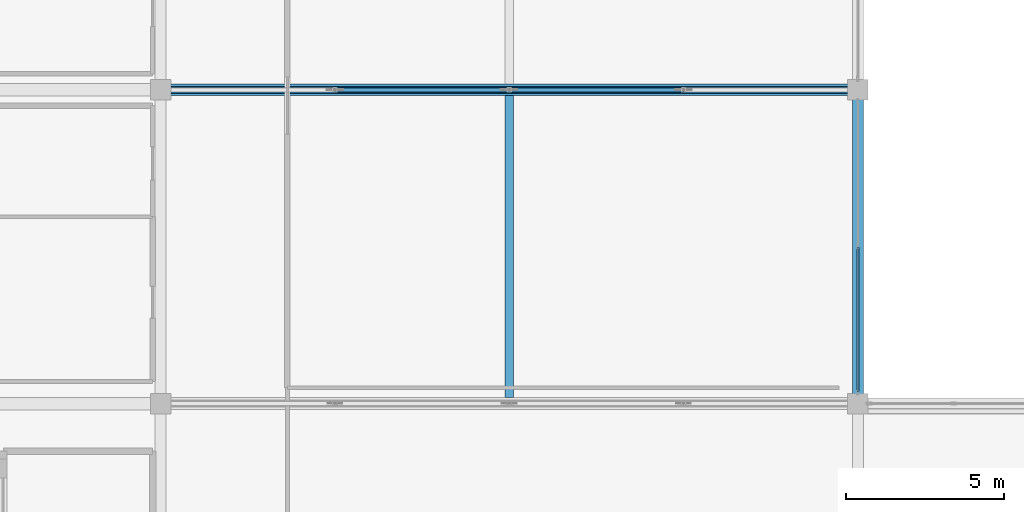
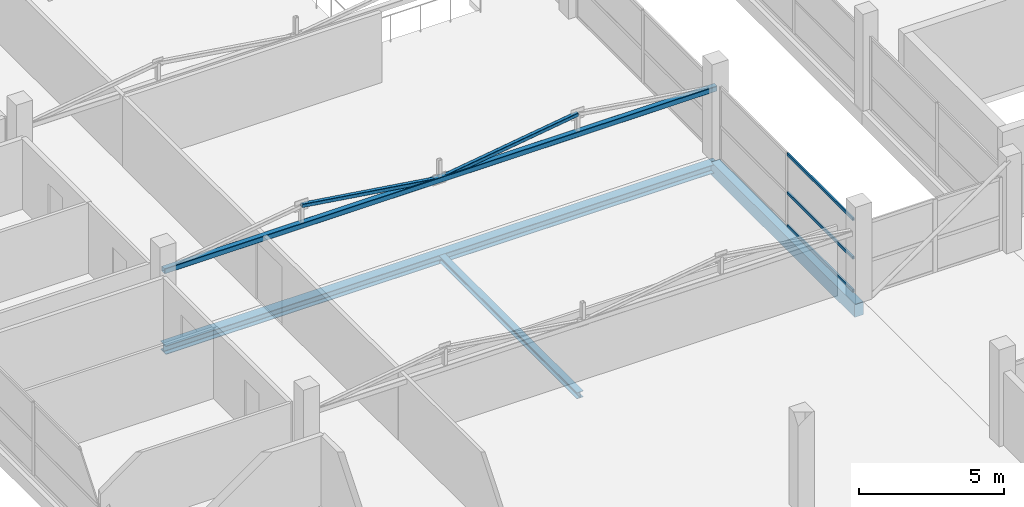
# One storey, part 21 of 53: 6 members, 3 beams, 1 element without a shape of its own.
"""IFC4 building model written with IfcOpenShell, lengths in metres."""

from ifc_helpers import new_model, si_unit, direction, frame, origin, origin_2d, place, context, subcontext, project, spatial, rectangle, hollow_rectangle, i_section, extrude, material, layer, layer_set, material_profile, profile_set, type_object, element, aggregate, save


model = new_model("IFC4")

# Units and contexts
model_context = context("Model", 3, precision=1e-05, world=origin(), true_north=direction((0.0, 1.0)))
body_context = subcontext(model_context, "Body", "Model", "MODEL_VIEW")
ifc_project = project(units=[si_unit("LENGTHUNIT", "METRE"), si_unit("AREAUNIT", "SQUARE_METRE"), si_unit("VOLUMEUNIT", "CUBIC_METRE"), si_unit("PLANEANGLEUNIT", "RADIAN"), si_unit("MASSUNIT", "GRAM", prefix="KILO")], contexts=[model_context])

# Site, building, storey
site_placement = place(None, origin())
site = spatial("IfcSite", under=ifc_project, at=site_placement, CompositionType="ELEMENT")
building_placement = place(site_placement, origin())
building = spatial("IfcBuilding", under=site, at=building_placement, Name="Sillaruma Civic Art Gallery", CompositionType="ELEMENT")
storey_placement = place(building_placement, frame((0.0, 0.0, 70.3798828125)))
storey = spatial("IfcBuildingStorey", under=building, at=storey_placement, Name="L14", CompositionType="ELEMENT", Elevation=70.3798828125)

# Beams
ifc_material_1 = material(Name="Structural Steel ASTM A992 Gr.50", Category="steel")
ifc_material_profile_1 = material_profile(ifc_material_1, i_section(OverallWidth=0.256103515625, OverallDepth=0.260009765625, WebThickness=0.0107421875, FlangeThickness=0.017333984375, FilletRadius=0.012939453125, at=origin_2d()), Name="W250x89")
ifc_profile_set_1 = profile_set([ifc_material_profile_1], Name="Structural Steel ASTM A992 Gr.50")
beam_type_1 = type_object("IfcBeamType", Name="BM-JOIST-W250x89", PredefinedType="JOIST", material=ifc_profile_set_1)
beam_1_placement = place(storey_placement, frame((81.0, 49.685546875, -0.3798828125), z_axis=(0.0, 1.0, 0.0), x_axis=(-1.0, 0.0, 0.0)))
element("IfcBeam", 1, at=beam_1_placement, inside=storey, type_object=beam_type_1, Name="Long-Span Gallery Joist JS-04 (L13:6-7)", PredefinedType="JOIST", context=body_context, shape_type="SweptSolid", body=[
    extrude(i_section(OverallWidth=0.256103515625, OverallDepth=0.260009765625, WebThickness=0.0107421875, FlangeThickness=0.017333984375, FilletRadius=0.012939453125, at=origin_2d()), origin(), (0.0, 0.0, 1.0), 9.529052734375),
])
ifc_material_2 = material(Name="Concrete H35 (35 MPa)", Category="concrete")
ifc_material_profile_2 = material_profile(ifc_material_2, rectangle(XDim=0.35009765625, YDim=0.550048828125, at=origin_2d()), Name="RCB350x550")
ifc_profile_set_2 = profile_set([ifc_material_profile_2], Name="Concrete H35 (35 MPa)")
beam_type_2 = type_object("IfcBeamType", Name="BM-SPANDREL-RCB350x550", PredefinedType="SPANDREL", material=ifc_profile_set_2)
beam_2_placement = place(storey_placement, frame((92.0, 49.5, -0.52490234375), z_axis=(0.0, 1.0, 0.0), x_axis=(-1.0, 0.0, 0.0)))
element("IfcBeam", 2, at=beam_2_placement, inside=storey, type_object=beam_type_2, Name="Beam BS-04 (L13:K:6-7)", PredefinedType="SPANDREL", context=body_context, shape_type="SweptSolid", body=[
    extrude(rectangle(XDim=0.35009765625, YDim=0.550048828125, at=origin_2d()), origin(), (0.0, 0.0, 1.0), 9.89990234375),
])
ifc_material_profile_3 = material_profile(ifc_material_1, i_section(OverallWidth=0.37109375, OverallDepth=0.364013671875, WebThickness=0.01318359375, FlangeThickness=0.021728515625, FilletRadius=0.014892578125, at=origin_2d()), Name="W360x162")
ifc_profile_set_3 = profile_set([ifc_material_profile_3], Name="Structural Steel ASTM A992 Gr.50")
beam_type_3 = type_object("IfcBeamType", Name="BM-TRTOP-W360x162", PredefinedType="BEAM", material=ifc_profile_set_3)
beam_3_placement = place(storey_placement, frame((70.0, 59.39990234375, -0.431884765625), z_axis=(1.0, 0.0, 0.0), x_axis=(0.0, 1.0, 0.0)))
element("IfcBeam", 3, at=beam_3_placement, inside=storey, type_object=beam_type_3, Name="Warren Truss Top Chord TR-L13-2", PredefinedType="BEAM", context=body_context, shape_type="SweptSolid", body=[
    extrude(i_section(OverallWidth=0.37109375, OverallDepth=0.364013671875, WebThickness=0.01318359375, FlangeThickness=0.021728515625, FilletRadius=0.014892578125, at=origin_2d()), origin(), (0.0, 0.0, 1.0), 22.0),
])

# Members
ifc_material_3 = material(Name="Structural Steel ASTM A500 Gr.C", Category="steel")
ifc_material_profile_4 = material_profile(ifc_material_3, hollow_rectangle(XDim=0.14990234375, YDim=0.14990234375, WallThickness=0.010009765625, InnerFilletRadius=0.010009765625, OuterFilletRadius=0.02001953125, at=origin_2d()), Name="HSS150x150x10")
ifc_profile_set_4 = profile_set([ifc_material_profile_4], Name="Structural Steel ASTM A500 Gr.C")
member_type_1 = type_object("IfcMemberType", Name="MEM-BRACE-HSS150x150x10", PredefinedType="BRACE", material=ifc_profile_set_4)
for number, where, z_axis, x_axis, name in (
    (4, (75.5, 59.39990234375, 3.648193359375), (0.989377720719, 0.0, -0.145367553959), (0.0, 1.0, 0.0), "Warren Truss Diagonal TR-L14-2-D2"),
    (5, (81.0, 59.39990234375, 2.840087890625), (0.989377720719, 0.0, 0.145367553959), (0.0, 1.0, 0.0), "Warren Truss Diagonal TR-L14-2-D3"),
):
    element("IfcMember", number, at=place(storey_placement, frame(where, z_axis=z_axis, x_axis=x_axis)), inside=storey, type_object=member_type_1, Name=name, PredefinedType="BRACE", context=body_context, shape_type="SweptSolid", body=[
        extrude(hollow_rectangle(XDim=0.14990234375, YDim=0.14990234375, WallThickness=0.010009765625, InnerFilletRadius=0.010009765625, OuterFilletRadius=0.02001953125, at=origin_2d()), origin(), (0.0, 0.0, 1.0), 5.55908203125),
    ])
ifc_material_profile_5 = material_profile(ifc_material_3, hollow_rectangle(XDim=0.219970703125, YDim=0.219970703125, WallThickness=0.012451171875, InnerFilletRadius=0.012451171875, OuterFilletRadius=0.02490234375, at=origin_2d()), Name="HSS220x220x12.5")
ifc_profile_set_5 = profile_set([ifc_material_profile_5], Name="Structural Steel ASTM A500 Gr.C")
member_type_2 = type_object("IfcMemberType", Name="MEM-CHORD-HSS220x220x12.5", PredefinedType="CHORD", material=ifc_profile_set_5)
member_1_placement = place(storey_placement, frame((70.0, 59.39990234375, 2.840087890625), z_axis=(1.0, 0.0, 0.0), x_axis=(0.0, 1.0, 0.0)))
element("IfcMember", 6, at=member_1_placement, inside=storey, type_object=member_type_2, Name="Warren Truss Bottom Chord TR-L14-2", PredefinedType="CHORD", context=body_context, shape_type="SweptSolid", body=[
    extrude(hollow_rectangle(XDim=0.219970703125, YDim=0.219970703125, WallThickness=0.012451171875, InnerFilletRadius=0.012451171875, OuterFilletRadius=0.02490234375, at=origin_2d()), origin(), (0.0, 0.0, 1.0), 22.0),
])

# Curtain wall, members
ifc_material_4 = material(Name="Thermally Broken Extruded Aluminium 6063-T6", Category="aluminium")
ifc_layer = layer(ifc_material_4, 0.139892578125, Name="Thermally Broken Extruded Aluminium 6063-T6")
ifc_layer_set = layer_set([ifc_layer], Name="Thermally Broken Extruded Aluminium 6063-T6")
curtain_wall_type = type_object("IfcCurtainWallType", Name="CW-UNI-105", PredefinedType="NOTDEFINED", material=ifc_layer_set)
curtain_wall_placement = place(storey_placement, origin())
curtain_wall = element("IfcCurtainWall", 7, at=curtain_wall_placement, inside=storey, type_object=curtain_wall_type, Name="Unitised Curtain Wall CW-105 (CW-L14-WBE-4)", PredefinedType="NOTDEFINED")
ifc_material_profile_6 = material_profile(ifc_material_4, hollow_rectangle(XDim=0.06494140625, YDim=0.1201171875, WallThickness=0.00341796875, at=origin_2d()), Name="CWT65x120")
ifc_profile_set_6 = profile_set([ifc_material_profile_6], Name="Thermally Broken Extruded Aluminium 6063-T6")
member_type_3 = type_object("IfcMemberType", Name="MEM-TRN-CWT65x120", PredefinedType="USERDEFINED", material=ifc_profile_set_6)
member_2_placement = place(storey_placement, frame((92.0, 49.885009765625, 0.03271484375), z_axis=(0.0, 1.0, 0.0), x_axis=(-1.0, 0.0, 0.0)))
member_2 = element("IfcMember", 8, at=member_2_placement, type_object=member_type_3, Name="CW-105 transom 1.1", ObjectType="TRANSOM", PredefinedType="USERDEFINED", context=body_context, shape_type="SweptSolid", body=[
    extrude(hollow_rectangle(XDim=0.06494140625, YDim=0.1201171875, WallThickness=0.00341796875, at=origin_2d()), origin(), (0.0, 0.0, 1.0), 4.534912109375),
])
member_3_placement = place(storey_placement, frame((92.0, 49.885009765625, 1.4169921875), z_axis=(0.0, 1.0, 0.0), x_axis=(-1.0, 0.0, 0.0)))
member_3 = element("IfcMember", 9, at=member_3_placement, type_object=member_type_3, Name="CW-105 transom 1.2", ObjectType="TRANSOM", PredefinedType="USERDEFINED", context=body_context, shape_type="SweptSolid", body=[
    extrude(hollow_rectangle(XDim=0.06494140625, YDim=0.1201171875, WallThickness=0.00341796875, at=origin_2d()), origin(), (0.0, 0.0, 1.0), 4.534912109375),
])
member_4_placement = place(storey_placement, frame((92.0, 49.885009765625, 3.047607421875), z_axis=(0.0, 1.0, 0.0), x_axis=(-1.0, 0.0, 0.0)))
member_4 = element("IfcMember", 10, at=member_4_placement, type_object=member_type_3, Name="CW-105 transom 1.3", ObjectType="TRANSOM", PredefinedType="USERDEFINED", context=body_context, shape_type="SweptSolid", body=[
    extrude(hollow_rectangle(XDim=0.06494140625, YDim=0.1201171875, WallThickness=0.00341796875, at=origin_2d()), origin(), (0.0, 0.0, 1.0), 4.534912109375),
])
aggregate(curtain_wall, [member_2, member_3, member_4])

save(model, "model.ifc")
